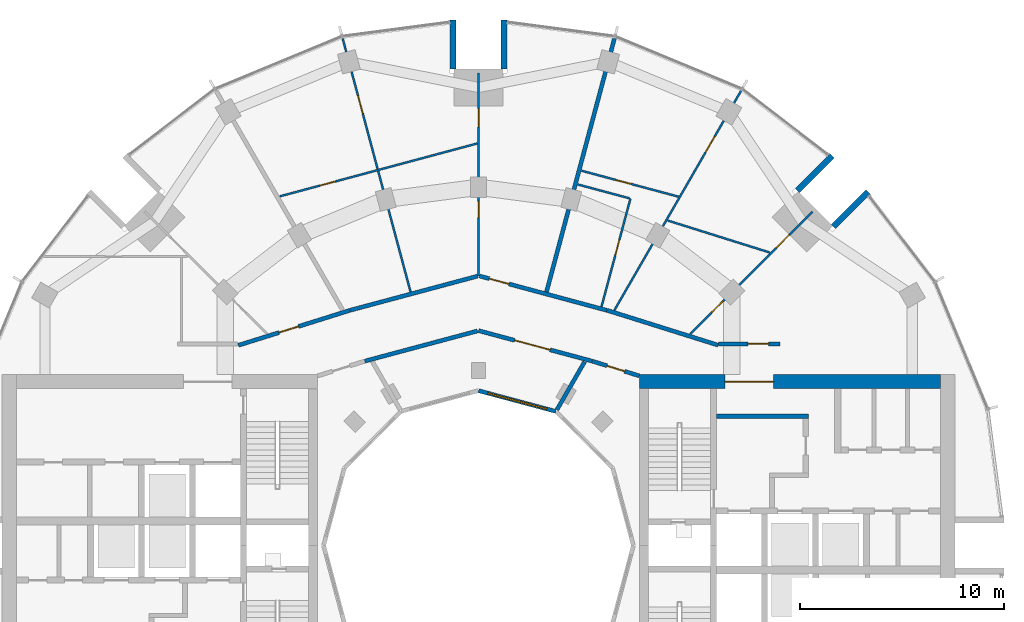
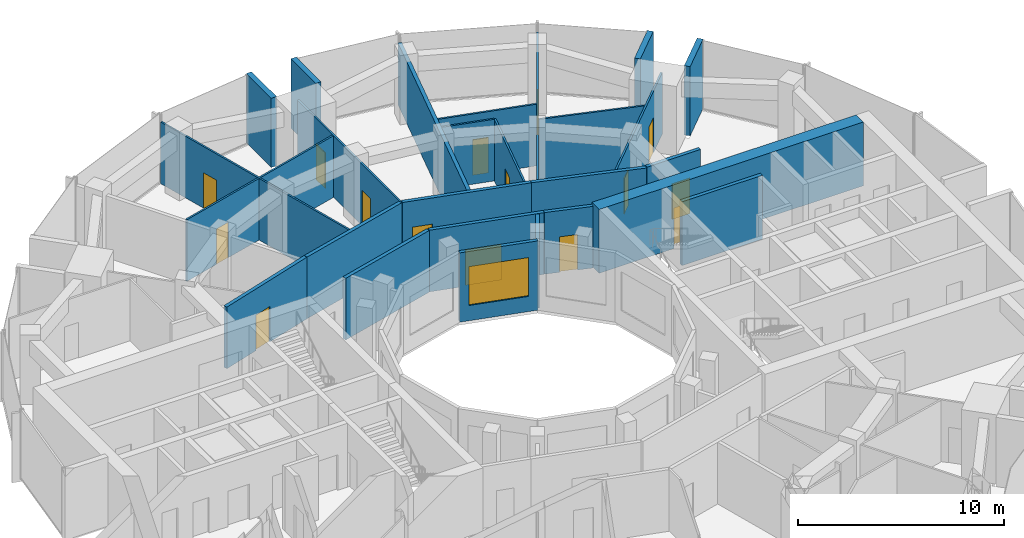
# One storey, part 12 of 15: 26 walls, 15 doors, 1 window, 16 openings.
"""IFC4 building model written with IfcOpenShell, lengths in metres."""

from ifc_helpers import new_model, si_unit, direction, frame, frame_2d, origin, place, context, subcontext, project, spatial, rectangle, extrude, material, layer, layer_set, type_object, element, fill, save


model = new_model("IFC4")

# Units and contexts
model_context = context("Model", 3, precision=1e-05, world=origin(), true_north=direction((0.0, 1.0)))
body_context = subcontext(model_context, "Body", "Model", "MODEL_VIEW")
ifc_project = project(units=[si_unit("LENGTHUNIT", "METRE"), si_unit("AREAUNIT", "SQUARE_METRE"), si_unit("VOLUMEUNIT", "CUBIC_METRE"), si_unit("PLANEANGLEUNIT", "RADIAN"), si_unit("MASSUNIT", "GRAM", prefix="KILO")], contexts=[model_context])

# Site, building, storey
site_placement = place(None, origin())
site = spatial("IfcSite", under=ifc_project, at=site_placement, CompositionType="ELEMENT")
building_placement = place(site_placement, origin())
building = spatial("IfcBuilding", under=site, at=building_placement, Name="Torre Brocal", CompositionType="ELEMENT")
storey_placement = place(building_placement, frame((0.0, 0.0, 174.10009765625)))
storey = spatial("IfcBuildingStorey", under=building, at=storey_placement, Name="L40", CompositionType="ELEMENT", Elevation=174.10009765625)

# Wall
ifc_material_1 = material(Name="Concrete C70", Category="concrete")
ifc_layer_1 = layer(ifc_material_1, 0.199951171875)
ifc_layer_set_1 = layer_set([ifc_layer_1], Name="Concrete C70")
wall_type_1 = type_object("IfcWallType", Name="CORE WALL 200 C70", PredefinedType="SHEAR", material=ifc_layer_set_1)
wall_1_placement = place(storey_placement, frame((91.699951171875, 81.35009765625, 0.0), z_axis=(0.0, 0.0, 1.0), x_axis=(1.0, 0.0, 0.0)))
element("IfcWall", 1, at=wall_1_placement, inside=storey, type_object=wall_type_1, Name="Wall CW200-70", PredefinedType="SHEAR", context=body_context, shape_type="SweptSolid", body=[
    extrude(rectangle(XDim=4.5, YDim=0.199951171875, at=frame_2d((2.25, 0.0))), origin(), (0.0, 0.0, 1.0), 3.77978515625),
])

# Wall, opening, door
ifc_material_2 = material(Name="Concrete C70", Category="concrete")
ifc_layer_2 = layer(ifc_material_2, 0.699951171875)
ifc_layer_set_2 = layer_set([ifc_layer_2], Name="Concrete C70")
wall_type_2 = type_object("IfcWallType", Name="CORE WALL 700 C70", PredefinedType="SHEAR", material=ifc_layer_set_2)
wall_2_placement = place(storey_placement, frame((87.89990234375, 83.050048828125, 0.0), z_axis=(0.0, 0.0, 1.0), x_axis=(1.0, 0.0, 0.0)))
wall_2 = element("IfcWall", 2, at=wall_2_placement, inside=storey, type_object=wall_type_2, Name="Wall CW700-70", PredefinedType="SHEAR", context=body_context, shape_type="SweptSolid", body=[
    extrude(rectangle(XDim=14.800048828125, YDim=0.699951171875, at=frame_2d((7.39990234375, 0.0))), origin(), (0.0, 0.0, 1.0), 3.77978515625),
])
opening_1_placement = place(wall_2_placement, frame((4.199951171875, 0.0, 0.0)))
opening_1 = element("IfcOpeningElement", 3, at=opening_1_placement, cuts=wall_2, Name="Opening E-D12", PredefinedType="OPENING", context=body_context, shape_type="SweptSolid", body=[
    extrude(rectangle(XDim=2.39990234375, YDim=2.39990234375, at=frame_2d((1.199951171875, 1.199951171875))), frame((0.0, 0.35986328125, 0.0), z_axis=(0.0, -1.0, 0.0), x_axis=(1.0, 0.0, 0.0)), (0.0, 0.0, 1.0), 0.719970703125),
])
ifc_material_3 = material(Name="Steel A653", Category="steel")
door_type_1 = type_object("IfcDoorType", Name="DOUBLE FIRE DOOR FD90 2400X2400", OperationType="DOUBLE_DOOR_SINGLE_SWING", PredefinedType="DOOR", material=ifc_material_3)
door_1_placement = place(opening_1_placement, frame((2.39990234375, 0.0, 0.0), z_axis=(0.0, 0.0, 1.0), x_axis=(-1.0, 0.0, 0.0)))
door_1 = element("IfcDoor", 4, at=door_1_placement, inside=storey, type_object=door_type_1, Name="Door E-D12", OperationType="DOUBLE_DOOR_SINGLE_SWING", OverallHeight=2.39990234375, OverallWidth=2.39990234375, PredefinedType="DOOR", context=body_context, shape_type="SweptSolid", body=[
    extrude(rectangle(XDim=2.39990234375, YDim=2.39990234375, at=frame_2d((1.199951171875, 1.199951171875))), frame((0.0, 0.02490234375, 0.0), z_axis=(0.0, -1.0, 0.0), x_axis=(1.0, 0.0, 0.0)), (0.0, 0.0, 1.0), 0.050048828125),
])
fill(opening_1, door_1)

# Walls
ifc_material_4 = material(Name="Concrete C70", Category="concrete")
ifc_layer_3 = layer(ifc_material_4, 0.300048828125)
ifc_layer_set_3 = layer_set([ifc_layer_3], Name="Concrete C70")
wall_type_3 = type_object("IfcWallType", Name="NOTCH RETURN WALL 300 C70", PredefinedType="NOTDEFINED", material=ifc_layer_set_3)
for number, where, z_axis, x_axis, name in (
    (5, (97.43017578125, 90.662353515625, 0.0), (0.0, 0.0, 1.0), (0.707106781187, 0.707106781187, 0.0), "NOTCH RETURN WALL"),
    (6, (95.662353515625, 92.43017578125, 0.0), (0.0, 0.0, 1.0), (0.707106781187, 0.707106781187, 0.0), "NOTCH RETURN WALL"),
    (7, (81.25, 98.39990234375, 0.0), (0.0, 0.0, 1.0), (0.0, 1.0, 0.0), "NOTCH RETURN WALL"),
    (8, (78.75, 98.39990234375, 0.0), (0.0, 0.0, 1.0), (0.0, 1.0, 0.0), "NOTCH RETURN WALL"),
):
    element("IfcWall", number, at=place(storey_placement, frame(where, z_axis=z_axis, x_axis=x_axis)), inside=storey, type_object=wall_type_3, Name=name, PredefinedType="NOTDEFINED", context=body_context, shape_type="SweptSolid", body=[
        extrude(rectangle(XDim=2.415771484375, YDim=0.300048828125, at=frame_2d((1.2080078125, 0.0))), origin(), (0.0, 0.0, 1.0), 4.099853515625),
    ])

# Wall, opening, door
ifc_material_5 = material(Name="Gypsum board", Category="Gypsum")
ifc_layer_4 = layer(ifc_material_5, 0.10009765625)
ifc_layer_set_4 = layer_set([ifc_layer_4], Name="Gypsum board")
wall_type_4 = type_object("IfcWallType", Name="PARTITION 100", PredefinedType="PARTITIONING", material=ifc_layer_set_4)
wall_3_placement = place(storey_placement, frame((70.23193359375, 92.15087890625, 0.0), z_axis=(0.0, 0.0, 1.0), x_axis=(0.965980126086, 0.258616310405, 0.0)))
wall_3 = element("IfcWall", 9, at=wall_3_placement, inside=storey, type_object=wall_type_4, Name="BATHROOM WALL", PredefinedType="PARTITIONING", context=body_context, shape_type="SweptSolid", body=[
    extrude(rectangle(XDim=10.052978515625, YDim=0.10009765625, at=frame_2d((5.0263671875, 0.0))), origin(), (0.0, 0.0, 1.0), 3.64990234375),
])
opening_2_placement = place(wall_3_placement, frame((2.0380859375, 0.0, 0.0)))
opening_2 = element("IfcOpeningElement", 10, at=opening_2_placement, cuts=wall_3, Name="Opening R02-D11", PredefinedType="OPENING", context=body_context, shape_type="SweptSolid", body=[
    extrude(rectangle(XDim=0.800048828125, YDim=2.10009765625, at=frame_2d((0.39990234375, 1.050048828125))), frame((0.0, 0.06005859375, 0.0), z_axis=(0.0, -1.0, 0.0), x_axis=(1.0, 0.0, 0.0)), (0.0, 0.0, 1.0), 0.1201171875),
])
ifc_material_6 = material(Name="Timber", Category="wood")
door_type_2 = type_object("IfcDoorType", Name="BATHROOM DOOR 800X2100", OperationType="SINGLE_SWING_LEFT", PredefinedType="DOOR", material=ifc_material_6)
door_2_placement = place(opening_2_placement, frame((0.800048828125, 0.0, 0.0), z_axis=(0.0, 0.0, 1.0), x_axis=(-1.0, 0.0, 0.0)))
door_2 = element("IfcDoor", 11, at=door_2_placement, inside=storey, type_object=door_type_2, Name="R02-D11", OperationType="SINGLE_SWING_RIGHT", OverallHeight=2.10009765625, OverallWidth=0.800048828125, PredefinedType="DOOR", context=body_context, shape_type="SweptSolid", body=[
    extrude(rectangle(XDim=0.800048828125, YDim=2.10009765625, at=frame_2d((0.39990234375, 1.050048828125))), frame((0.0, 0.02490234375, 0.0), z_axis=(0.0, -1.0, 0.0), x_axis=(1.0, 0.0, 0.0)), (0.0, 0.0, 1.0), 0.050048828125),
])
fill(opening_2, door_2)

wall_4_placement = place(storey_placement, frame((73.322998046875, 99.919189453125, 0.0), z_axis=(0.0, 0.0, 1.0), x_axis=(0.258768239436, -0.965939438194, 0.0)))
wall_4 = element("IfcWall", 12, at=wall_4_placement, inside=storey, type_object=wall_type_4, Name="BATHROOM WALL", PredefinedType="PARTITIONING", context=body_context, shape_type="SweptSolid", body=[
    extrude(rectangle(XDim=12.90380859375, YDim=0.10009765625, at=frame_2d((6.451904296875, 0.0))), origin(), (0.0, 0.0, 1.0), 3.64990234375),
])
opening_3_placement = place(wall_4_placement, frame((2.92724609375, 0.0, 0.0)))
opening_3 = element("IfcOpeningElement", 13, at=opening_3_placement, cuts=wall_4, Name="Opening R02-D10", PredefinedType="OPENING", context=body_context, shape_type="SweptSolid", body=[
    extrude(rectangle(XDim=0.89990234375, YDim=2.10009765625, at=frame_2d((0.449951171875, 1.050048828125))), frame((0.0, 0.06005859375, 0.0), z_axis=(0.0, -1.0, 0.0), x_axis=(1.0, 0.0, 0.0)), (0.0, 0.0, 1.0), 0.1201171875),
])
ifc_material_7 = material(Name="Timber", Category="wood")
door_type_3 = type_object("IfcDoorType", Name="ROOM DOOR 900X2100", OperationType="SINGLE_SWING_LEFT", PredefinedType="DOOR", material=ifc_material_7)
door_3_placement = place(opening_3_placement, origin())
door_3 = element("IfcDoor", 14, at=door_3_placement, inside=storey, type_object=door_type_3, Name="R02-D10", OperationType="SINGLE_SWING_LEFT", OverallHeight=2.10009765625, OverallWidth=0.89990234375, PredefinedType="DOOR", context=body_context, shape_type="SweptSolid", body=[
    extrude(rectangle(XDim=0.89990234375, YDim=2.10009765625, at=frame_2d((0.449951171875, 1.050048828125))), frame((0.0, 0.02490234375, 0.0), z_axis=(0.0, -1.0, 0.0), x_axis=(1.0, 0.0, 0.0)), (0.0, 0.0, 1.0), 0.050048828125),
])
fill(opening_3, door_3)

# Wall, openings, doors
wall_5_placement = place(storey_placement, frame((80.0, 88.24609375, 0.0), z_axis=(0.0, 0.0, 1.0), x_axis=(0.0, 1.0, 0.0)))
wall_5 = element("IfcWall", 15, at=wall_5_placement, inside=storey, type_object=wall_type_4, Name="BATHROOM WALL", PredefinedType="PARTITIONING", context=body_context, shape_type="SweptSolid", body=[
    extrude(rectangle(XDim=9.953857421875, YDim=0.10009765625, at=frame_2d((4.97705078125, 0.0))), origin(), (0.0, 0.0, 1.0), 3.64990234375),
])
opening_4_placement = place(wall_5_placement, frame((7.3134765625, 0.0, 0.0)))
opening_4 = element("IfcOpeningElement", 16, at=opening_4_placement, cuts=wall_5, Name="Opening R02-D08", PredefinedType="OPENING", context=body_context, shape_type="SweptSolid", body=[
    extrude(rectangle(XDim=0.89990234375, YDim=2.10009765625, at=frame_2d((0.449951171875, 1.050048828125))), frame((0.0, 0.06005859375, 0.0), z_axis=(0.0, -1.0, 0.0), x_axis=(1.0, 0.0, 0.0)), (0.0, 0.0, 1.0), 0.1201171875),
])
opening_5_placement = place(wall_5_placement, frame((2.861572265625, 0.0, 0.0)))
opening_5 = element("IfcOpeningElement", 17, at=opening_5_placement, cuts=wall_5, Name="Opening R02-D09", PredefinedType="OPENING", context=body_context, shape_type="SweptSolid", body=[
    extrude(rectangle(XDim=0.800048828125, YDim=2.10009765625, at=frame_2d((0.39990234375, 1.050048828125))), frame((0.0, 0.06005859375, 0.0), z_axis=(0.0, -1.0, 0.0), x_axis=(1.0, 0.0, 0.0)), (0.0, 0.0, 1.0), 0.1201171875),
])
door_4_placement = place(opening_5_placement, origin())
door_4 = element("IfcDoor", 18, at=door_4_placement, inside=storey, type_object=door_type_2, Name="R02-D09", OperationType="SINGLE_SWING_RIGHT", OverallHeight=2.10009765625, OverallWidth=0.800048828125, PredefinedType="DOOR", context=body_context, shape_type="SweptSolid", body=[
    extrude(rectangle(XDim=0.800048828125, YDim=2.10009765625, at=frame_2d((0.39990234375, 1.050048828125))), frame((0.0, 0.02490234375, 0.0), z_axis=(0.0, -1.0, 0.0), x_axis=(1.0, 0.0, 0.0)), (0.0, 0.0, 1.0), 0.050048828125),
])
fill(opening_5, door_4)
door_5_placement = place(opening_4_placement, origin())
door_5 = element("IfcDoor", 19, at=door_5_placement, inside=storey, type_object=door_type_3, Name="R02-D08", OperationType="SINGLE_SWING_LEFT", OverallHeight=2.10009765625, OverallWidth=0.89990234375, PredefinedType="DOOR", context=body_context, shape_type="SweptSolid", body=[
    extrude(rectangle(XDim=0.89990234375, YDim=2.10009765625, at=frame_2d((0.449951171875, 1.050048828125))), frame((0.0, 0.02490234375, 0.0), z_axis=(0.0, -1.0, 0.0), x_axis=(1.0, 0.0, 0.0)), (0.0, 0.0, 1.0), 0.050048828125),
])
fill(opening_4, door_5)

# Wall
wall_6_placement = place(storey_placement, frame((84.8671875, 92.738525390625, 0.0), z_axis=(0.0, 0.0, 1.0), x_axis=(0.96595176814, -0.25872220938, 0.0)))
element("IfcWall", 20, at=wall_6_placement, inside=storey, type_object=wall_type_4, Name="BATHROOM WALL", PredefinedType="PARTITIONING", context=body_context, shape_type="SweptSolid", body=[
    extrude(rectangle(XDim=2.638427734375, YDim=0.10009765625, at=frame_2d((1.3193359375, 0.0))), origin(), (0.0, 0.0, 1.0), 3.64990234375),
])

# Wall, opening, door
wall_7_placement = place(storey_placement, frame((85.04833984375, 93.41455078125, 0.0), z_axis=(0.0, 0.0, 1.0), x_axis=(0.965981309458, -0.258611890247, 0.0)))
wall_7 = element("IfcWall", 21, at=wall_7_placement, inside=storey, type_object=wall_type_4, Name="BATHROOM WALL", PredefinedType="PARTITIONING", context=body_context, shape_type="SweptSolid", body=[
    extrude(rectangle(XDim=4.94580078125, YDim=0.10009765625, at=frame_2d((2.472900390625, 0.0))), origin(), (0.0, 0.0, 1.0), 3.64990234375),
])
opening_6_placement = place(wall_7_placement, frame((1.748046875, 0.0, 0.0)))
opening_6 = element("IfcOpeningElement", 22, at=opening_6_placement, cuts=wall_7, Name="Opening R02-D06", PredefinedType="OPENING", context=body_context, shape_type="SweptSolid", body=[
    extrude(rectangle(XDim=0.800048828125, YDim=2.10009765625, at=frame_2d((0.39990234375, 1.050048828125))), frame((0.0, 0.06005859375, 0.0), z_axis=(0.0, -1.0, 0.0), x_axis=(1.0, 0.0, 0.0)), (0.0, 0.0, 1.0), 0.1201171875),
])
door_6_placement = place(opening_6_placement, origin())
door_6 = element("IfcDoor", 23, at=door_6_placement, inside=storey, type_object=door_type_2, Name="R02-D06", OperationType="SINGLE_SWING_LEFT", OverallHeight=2.10009765625, OverallWidth=0.800048828125, PredefinedType="DOOR", context=body_context, shape_type="SweptSolid", body=[
    extrude(rectangle(XDim=0.800048828125, YDim=2.10009765625, at=frame_2d((0.39990234375, 1.050048828125))), frame((0.0, 0.02490234375, 0.0), z_axis=(0.0, -1.0, 0.0), x_axis=(1.0, 0.0, 0.0)), (0.0, 0.0, 1.0), 0.050048828125),
])
fill(opening_6, door_6)

wall_8_placement = place(storey_placement, frame((86.0419921875, 86.730712890625, 0.0), z_axis=(0.0, 0.0, 1.0), x_axis=(0.258599239637, 0.965984696183, 0.0)))
wall_8 = element("IfcWall", 24, at=wall_8_placement, inside=storey, type_object=wall_type_4, Name="BATHROOM WALL", PredefinedType="PARTITIONING", context=body_context, shape_type="SweptSolid", body=[
    extrude(rectangle(XDim=5.499267578125, YDim=0.10009765625, at=frame_2d((2.74951171875, 0.0))), origin(), (0.0, 0.0, 1.0), 3.64990234375),
])
opening_7_placement = place(wall_8_placement, frame((2.599609375, 0.0, 0.0)))
opening_7 = element("IfcOpeningElement", 25, at=opening_7_placement, cuts=wall_8, Name="Opening R02-D05", PredefinedType="OPENING", context=body_context, shape_type="SweptSolid", body=[
    extrude(rectangle(XDim=0.800048828125, YDim=2.10009765625, at=frame_2d((0.39990234375, 1.050048828125))), frame((0.0, 0.06005859375, 0.0), z_axis=(0.0, -1.0, 0.0), x_axis=(1.0, 0.0, 0.0)), (0.0, 0.0, 1.0), 0.1201171875),
])
door_7_placement = place(opening_7_placement, origin())
door_7 = element("IfcDoor", 26, at=door_7_placement, inside=storey, type_object=door_type_2, Name="R02-D05", OperationType="SINGLE_SWING_RIGHT", OverallHeight=2.10009765625, OverallWidth=0.800048828125, PredefinedType="DOOR", context=body_context, shape_type="SweptSolid", body=[
    extrude(rectangle(XDim=0.800048828125, YDim=2.10009765625, at=frame_2d((0.39990234375, 1.050048828125))), frame((0.0, 0.02490234375, 0.0), z_axis=(0.0, -1.0, 0.0), x_axis=(1.0, 0.0, 0.0)), (0.0, 0.0, 1.0), 0.050048828125),
])
fill(opening_7, door_7)

wall_9_placement = place(storey_placement, frame((86.671875, 86.5537109375, 0.0), z_axis=(0.0, 0.0, 1.0), x_axis=(0.500043115992, 0.866000509324, 0.0)))
wall_9 = element("IfcWall", 27, at=wall_9_placement, inside=storey, type_object=wall_type_4, Name="BATHROOM WALL", PredefinedType="PARTITIONING", context=body_context, shape_type="SweptSolid", body=[
    extrude(rectangle(XDim=12.4560546875, YDim=0.10009765625, at=frame_2d((6.22802734375, 0.0))), origin(), (0.0, 0.0, 1.0), 3.64990234375),
])
opening_8_placement = place(wall_9_placement, frame((8.955810546875, 0.0, 0.0)))
opening_8 = element("IfcOpeningElement", 28, at=opening_8_placement, cuts=wall_9, Name="Opening R02-D04", PredefinedType="OPENING", context=body_context, shape_type="SweptSolid", body=[
    extrude(rectangle(XDim=0.89990234375, YDim=2.10009765625, at=frame_2d((0.449951171875, 1.050048828125))), frame((0.0, 0.06005859375, 0.0), z_axis=(0.0, -1.0, 0.0), x_axis=(1.0, 0.0, 0.0)), (0.0, 0.0, 1.0), 0.1201171875),
])
door_8_placement = place(opening_8_placement, frame((0.89990234375, 0.0, 0.0), z_axis=(0.0, 0.0, 1.0), x_axis=(-1.0, 0.0, 0.0)))
door_8 = element("IfcDoor", 29, at=door_8_placement, inside=storey, type_object=door_type_3, Name="R02-D04", OperationType="SINGLE_SWING_LEFT", OverallHeight=2.10009765625, OverallWidth=0.89990234375, PredefinedType="DOOR", context=body_context, shape_type="SweptSolid", body=[
    extrude(rectangle(XDim=0.89990234375, YDim=2.10009765625, at=frame_2d((0.449951171875, 1.050048828125))), frame((0.0, 0.02490234375, 0.0), z_axis=(0.0, -1.0, 0.0), x_axis=(1.0, 0.0, 0.0)), (0.0, 0.0, 1.0), 0.050048828125),
])
fill(opening_8, door_8)

# Wall
wall_10_placement = place(storey_placement, frame((89.286376953125, 90.967041015625, 0.0), z_axis=(0.0, 0.0, 1.0), x_axis=(0.954193783918, -0.299189275763, 0.0)))
element("IfcWall", 30, at=wall_10_placement, inside=storey, type_object=wall_type_4, Name="BATHROOM WALL", PredefinedType="PARTITIONING", context=body_context, shape_type="SweptSolid", body=[
    extrude(rectangle(XDim=5.260009765625, YDim=0.10009765625, at=frame_2d((2.6298828125, 0.0))), origin(), (0.0, 0.0, 1.0), 3.64990234375),
])

# Wall, openings, doors
wall_11_placement = place(storey_placement, frame((90.396484375, 85.393310546875, 0.0), z_axis=(0.0, 0.0, 1.0), x_axis=(0.707279106146, 0.706934414221, 0.0)))
wall_11 = element("IfcWall", 31, at=wall_11_placement, inside=storey, type_object=wall_type_4, Name="BATHROOM WALL", PredefinedType="PARTITIONING", context=body_context, shape_type="SweptSolid", body=[
    extrude(rectangle(XDim=8.49951171875, YDim=0.10009765625, at=frame_2d((4.249755859375, 0.0))), origin(), (0.0, 0.0, 1.0), 3.64990234375),
])
opening_9_placement = place(wall_11_placement, frame((5.9755859375, 0.0, 0.0)))
opening_9 = element("IfcOpeningElement", 32, at=opening_9_placement, cuts=wall_11, Name="Opening R02-D02", PredefinedType="OPENING", context=body_context, shape_type="SweptSolid", body=[
    extrude(rectangle(XDim=0.89990234375, YDim=2.10009765625, at=frame_2d((0.449951171875, 1.050048828125))), frame((0.0, 0.06005859375, 0.0), z_axis=(0.0, -1.0, 0.0), x_axis=(1.0, 0.0, 0.0)), (0.0, 0.0, 1.0), 0.1201171875),
])
opening_10_placement = place(wall_11_placement, frame((1.467041015625, 0.0, 0.0)))
opening_10 = element("IfcOpeningElement", 33, at=opening_10_placement, cuts=wall_11, Name="Opening R02-D03", PredefinedType="OPENING", context=body_context, shape_type="SweptSolid", body=[
    extrude(rectangle(XDim=0.800048828125, YDim=2.10009765625, at=frame_2d((0.39990234375, 1.050048828125))), frame((0.0, 0.06005859375, 0.0), z_axis=(0.0, -1.0, 0.0), x_axis=(1.0, 0.0, 0.0)), (0.0, 0.0, 1.0), 0.1201171875),
])
door_9_placement = place(opening_10_placement, origin())
door_9 = element("IfcDoor", 34, at=door_9_placement, inside=storey, type_object=door_type_2, Name="R02-D03", OperationType="SINGLE_SWING_LEFT", OverallHeight=2.10009765625, OverallWidth=0.800048828125, PredefinedType="DOOR", context=body_context, shape_type="SweptSolid", body=[
    extrude(rectangle(XDim=0.800048828125, YDim=2.10009765625, at=frame_2d((0.39990234375, 1.050048828125))), frame((0.0, 0.02490234375, 0.0), z_axis=(0.0, -1.0, 0.0), x_axis=(1.0, 0.0, 0.0)), (0.0, 0.0, 1.0), 0.050048828125),
])
fill(opening_10, door_9)
door_10_placement = place(opening_9_placement, frame((0.89990234375, 0.0, 0.0), z_axis=(0.0, 0.0, 1.0), x_axis=(-1.0, 0.0, 0.0)))
door_10 = element("IfcDoor", 35, at=door_10_placement, inside=storey, type_object=door_type_3, Name="R02-D02", OperationType="SINGLE_SWING_LEFT", OverallHeight=2.10009765625, OverallWidth=0.89990234375, PredefinedType="DOOR", context=body_context, shape_type="SweptSolid", body=[
    extrude(rectangle(XDim=0.89990234375, YDim=2.10009765625, at=frame_2d((0.449951171875, 1.050048828125))), frame((0.0, 0.02490234375, 0.0), z_axis=(0.0, -1.0, 0.0), x_axis=(1.0, 0.0, 0.0)), (0.0, 0.0, 1.0), 0.050048828125),
])
fill(opening_9, door_10)

# Wall, opening, door
ifc_material_8 = material(Name="Gypsum board", Category="Gypsum")
ifc_layer_5 = layer(ifc_material_8, 0.199951171875)
ifc_layer_set_5 = layer_set([ifc_layer_5], Name="Gypsum board")
wall_type_5 = type_object("IfcWallType", Name="PARTITION 200 EI60", PredefinedType="PARTITIONING", material=ifc_layer_set_5)
wall_12_placement = place(storey_placement, frame((68.199951171875, 84.833251953125, 0.0), z_axis=(0.0, 0.0, 1.0), x_axis=(0.954191968402, 0.299195065863, 0.0)))
wall_12 = element("IfcWall", 36, at=wall_12_placement, inside=storey, type_object=wall_type_5, Name="FLAT ENTRANCE WALL", PredefinedType="PARTITIONING", context=body_context, shape_type="SweptSolid", body=[
    extrude(rectangle(XDim=5.740478515625, YDim=0.199951171875, at=frame_2d((2.8701171875, 0.0))), origin(), (0.0, 0.0, 1.0), 3.64990234375),
])
opening_11_placement = place(wall_12_placement, frame((2.096923828125, 0.0, 0.0)))
opening_11 = element("IfcOpeningElement", 37, at=opening_11_placement, cuts=wall_12, Name="Opening R02-D12", PredefinedType="OPENING", context=body_context, shape_type="SweptSolid", body=[
    extrude(rectangle(XDim=1.0, YDim=2.10009765625, at=frame_2d((0.5, 1.050048828125))), frame((0.0, 0.10986328125, 0.0), z_axis=(0.0, -1.0, 0.0), x_axis=(1.0, 0.0, 0.0)), (0.0, 0.0, 1.0), 0.219970703125),
])
ifc_material_9 = material(Name="Timber", Category="wood")
door_type_4 = type_object("IfcDoorType", Name="FLAT ENTRY DOOR FD30S 1000X2100", OperationType="SINGLE_SWING_RIGHT", PredefinedType="DOOR", material=ifc_material_9)
door_11_placement = place(opening_11_placement, origin())
door_11 = element("IfcDoor", 38, at=door_11_placement, inside=storey, type_object=door_type_4, Name="R02-D12", OperationType="SINGLE_SWING_LEFT", OverallHeight=2.10009765625, OverallWidth=1.0, PredefinedType="DOOR", context=body_context, shape_type="SweptSolid", body=[
    extrude(rectangle(XDim=1.0, YDim=2.10009765625, at=frame_2d((0.5, 1.050048828125))), frame((0.0, 0.02490234375, 0.0), z_axis=(0.0, -1.0, 0.0), x_axis=(1.0, 0.0, 0.0)), (0.0, 0.0, 1.0), 0.050048828125),
])
fill(opening_11, door_11)

# Walls
wall_13_placement = place(storey_placement, frame((73.68701171875, 86.55419921875, 0.0), z_axis=(0.0, 0.0, 1.0), x_axis=(0.96595928904, 0.258694128106, 0.0)))
element("IfcWall", 39, at=wall_13_placement, inside=storey, type_object=wall_type_5, Name="GUESTROOM CORRIDOR WALL", PredefinedType="PARTITIONING", context=body_context, shape_type="SweptSolid", body=[
    extrude(rectangle(XDim=6.495849609375, YDim=0.199951171875, at=frame_2d((3.248046875, 0.0))), origin(), (0.0, 0.0, 1.0), 3.64990234375),
])
wall_14_placement = place(storey_placement, frame((74.412841796875, 84.05712890625, 0.0), z_axis=(0.0, 0.0, 1.0), x_axis=(0.965970849692, 0.258650956976, 0.0)))
element("IfcWall", 40, at=wall_14_placement, inside=storey, type_object=wall_type_5, Name="CORRIDOR WALL", PredefinedType="PARTITIONING", context=body_context, shape_type="SweptSolid", body=[
    extrude(rectangle(XDim=5.734130859375, YDim=0.199951171875, at=frame_2d((2.8671875, 0.0))), origin(), (0.0, 0.0, 1.0), 3.64990234375),
])

# Wall, opening, door
wall_15_placement = place(storey_placement, frame((80.0, 85.55419921875, 0.0), z_axis=(0.0, 0.0, 1.0), x_axis=(0.965894438951, -0.258936155845, 0.0)))
wall_15 = element("IfcWall", 41, at=wall_15_placement, inside=storey, type_object=wall_type_5, Name="CORRIDOR WALL", PredefinedType="PARTITIONING", context=body_context, shape_type="SweptSolid", body=[
    extrude(rectangle(XDim=5.774169921875, YDim=0.199951171875, at=frame_2d((2.88720703125, 0.0))), origin(), (0.0, 0.0, 1.0), 3.64990234375),
])
opening_12_placement = place(wall_15_placement, frame((1.84130859375, 0.0, 0.0)))
opening_12 = element("IfcOpeningElement", 42, at=opening_12_placement, cuts=wall_15, Name="Opening R02-D17", PredefinedType="OPENING", context=body_context, shape_type="SweptSolid", body=[
    extrude(rectangle(XDim=1.800048828125, YDim=2.10009765625, at=frame_2d((0.89990234375, 1.050048828125))), frame((0.0, 0.10986328125, 0.0), z_axis=(0.0, -1.0, 0.0), x_axis=(1.0, 0.0, 0.0)), (0.0, 0.0, 1.0), 0.219970703125),
])
ifc_material_10 = material(Name="Timber", Category="wood")
door_type_5 = type_object("IfcDoorType", Name="DOUBLE DOOR 1800X2100", OperationType="DOUBLE_DOOR_SINGLE_SWING", PredefinedType="DOOR", material=ifc_material_10)
door_12_placement = place(opening_12_placement, frame((1.800048828125, 0.0, 0.0), z_axis=(0.0, 0.0, 1.0), x_axis=(-1.0, 0.0, 0.0)))
door_12 = element("IfcDoor", 43, at=door_12_placement, inside=storey, type_object=door_type_5, Name="R02-D17", OperationType="DOUBLE_DOOR_SINGLE_SWING", OverallHeight=2.10009765625, OverallWidth=1.800048828125, PredefinedType="DOOR", context=body_context, shape_type="SweptSolid", body=[
    extrude(rectangle(XDim=1.800048828125, YDim=2.10009765625, at=frame_2d((0.89990234375, 1.050048828125))), frame((0.0, 0.02490234375, 0.0), z_axis=(0.0, -1.0, 0.0), x_axis=(1.0, 0.0, 0.0)), (0.0, 0.0, 1.0), 0.050048828125),
])
fill(opening_12, door_12)

wall_16_placement = place(storey_placement, frame((80.04931640625, 88.237060546875, 0.0), z_axis=(0.0, 0.0, 1.0), x_axis=(0.965582990495, -0.260095152718, 0.0)))
wall_16 = element("IfcWall", 44, at=wall_16_placement, inside=storey, type_object=wall_type_5, Name="FLAT ENTRANCE WALL", PredefinedType="PARTITIONING", context=body_context, shape_type="SweptSolid", body=[
    extrude(rectangle(XDim=6.475830078125, YDim=0.199951171875, at=frame_2d((3.23779296875, 0.0))), origin(), (0.0, 0.0, 1.0), 3.64990234375),
])
opening_13_placement = place(wall_16_placement, frame((0.5, 0.0, 0.0)))
opening_13 = element("IfcOpeningElement", 45, at=opening_13_placement, cuts=wall_16, Name="Opening R02-D07", PredefinedType="OPENING", context=body_context, shape_type="SweptSolid", body=[
    extrude(rectangle(XDim=1.0, YDim=2.10009765625, at=frame_2d((0.5, 1.050048828125))), frame((0.0, 0.10986328125, 0.0), z_axis=(0.0, -1.0, 0.0), x_axis=(1.0, 0.0, 0.0)), (0.0, 0.0, 1.0), 0.219970703125),
])
door_13_placement = place(opening_13_placement, origin())
door_13 = element("IfcDoor", 46, at=door_13_placement, inside=storey, type_object=door_type_4, Name="R02-D07", OperationType="SINGLE_SWING_LEFT", OverallHeight=2.10009765625, OverallWidth=1.0, PredefinedType="DOOR", context=body_context, shape_type="SweptSolid", body=[
    extrude(rectangle(XDim=1.0, YDim=2.10009765625, at=frame_2d((0.5, 1.050048828125))), frame((0.0, 0.02490234375, 0.0), z_axis=(0.0, -1.0, 0.0), x_axis=(1.0, 0.0, 0.0)), (0.0, 0.0, 1.0), 0.050048828125),
])
fill(opening_13, door_13)

# Walls
wall_17_placement = place(storey_placement, frame((83.33935546875, 87.45458984375, 0.0), z_axis=(0.0, 0.0, 1.0), x_axis=(0.258941302036, 0.96589305935, 0.0)))
element("IfcWall", 47, at=wall_17_placement, inside=storey, type_object=wall_type_5, Name="BATHROOM WALL", PredefinedType="PARTITIONING", context=body_context, shape_type="SweptSolid", body=[
    extrude(rectangle(XDim=12.90380859375, YDim=0.199951171875, at=frame_2d((6.451904296875, 0.0))), origin(), (0.0, 0.0, 1.0), 3.64990234375),
])
wall_18_placement = place(storey_placement, frame((83.850830078125, 81.667236328125, 0.0), z_axis=(0.0, 0.0, 1.0), x_axis=(0.500099931433, 0.865967700657, 0.0)))
element("IfcWall", 48, at=wall_18_placement, inside=storey, type_object=wall_type_5, Name="PARTY PARTITION", PredefinedType="PARTITIONING", context=body_context, shape_type="SweptSolid", body=[
    extrude(rectangle(XDim=2.724609375, YDim=0.199951171875, at=frame_2d((1.3623046875, 0.0))), origin(), (0.0, 0.0, 1.0), 3.64990234375),
])

# Wall, opening, door
wall_19_placement = place(storey_placement, frame((85.5869140625, 84.056884765625, 0.0), z_axis=(0.0, 0.0, 1.0), x_axis=(0.954239513179, -0.299043393987, 0.0)))
wall_19 = element("IfcWall", 49, at=wall_19_placement, inside=storey, type_object=wall_type_5, Name="CORRIDOR WALL", PredefinedType="PARTITIONING", context=body_context, shape_type="SweptSolid", body=[
    extrude(rectangle(XDim=2.423828125, YDim=0.199951171875, at=frame_2d((1.2119140625, 0.0))), origin(), (0.0, 0.0, 1.0), 3.64990234375),
])
opening_14_placement = place(wall_19_placement, frame((0.761962890625, 0.0, 0.0)))
opening_14 = element("IfcOpeningElement", 50, at=opening_14_placement, cuts=wall_19, Name="Opening R02-D16", PredefinedType="OPENING", context=body_context, shape_type="SweptSolid", body=[
    extrude(rectangle(XDim=0.89990234375, YDim=2.10009765625, at=frame_2d((0.449951171875, 1.050048828125))), frame((0.0, 0.10986328125, 0.0), z_axis=(0.0, -1.0, 0.0), x_axis=(1.0, 0.0, 0.0)), (0.0, 0.0, 1.0), 0.219970703125),
])
door_14_placement = place(opening_14_placement, frame((0.89990234375, 0.0, 0.0), z_axis=(0.0, 0.0, 1.0), x_axis=(-1.0, 0.0, 0.0)))
door_14 = element("IfcDoor", 51, at=door_14_placement, inside=storey, type_object=door_type_3, Name="R02-D16", OperationType="SINGLE_SWING_LEFT", OverallHeight=2.10009765625, OverallWidth=0.89990234375, PredefinedType="DOOR", context=body_context, shape_type="SweptSolid", body=[
    extrude(rectangle(XDim=0.89990234375, YDim=2.10009765625, at=frame_2d((0.449951171875, 1.050048828125))), frame((0.0, 0.02490234375, 0.0), z_axis=(0.0, -1.0, 0.0), x_axis=(1.0, 0.0, 0.0)), (0.0, 0.0, 1.0), 0.050048828125),
])
fill(opening_14, door_14)

# Wall
wall_20_placement = place(storey_placement, frame((86.31298828125, 86.554443359375, 0.0), z_axis=(0.0, 0.0, 1.0), x_axis=(0.954081217458, -0.299548043717, 0.0)))
element("IfcWall", 52, at=wall_20_placement, inside=storey, type_object=wall_type_5, Name="FLAT ENTRANCE WALL", PredefinedType="PARTITIONING", context=body_context, shape_type="SweptSolid", body=[
    extrude(rectangle(XDim=5.720703125, YDim=0.199951171875, at=frame_2d((2.8603515625, 0.0))), origin(), (0.0, 0.0, 1.0), 3.64990234375),
])

# Wall, opening, door
wall_21_placement = place(storey_placement, frame((91.800048828125, 84.89990234375, 0.0), z_axis=(0.0, 0.0, 1.0), x_axis=(1.0, 0.0, 0.0)))
wall_21 = element("IfcWall", 53, at=wall_21_placement, inside=storey, type_object=wall_type_5, Name="FLAT ENTRANCE WALL", PredefinedType="PARTITIONING", context=body_context, shape_type="SweptSolid", body=[
    extrude(rectangle(XDim=3.0, YDim=0.199951171875, at=frame_2d((1.5, 0.0))), origin(), (0.0, 0.0, 1.0), 3.64990234375),
])
opening_15_placement = place(wall_21_placement, frame((1.449951171875, 0.0, 0.0)))
opening_15 = element("IfcOpeningElement", 54, at=opening_15_placement, cuts=wall_21, Name="Opening R02-D01", PredefinedType="OPENING", context=body_context, shape_type="SweptSolid", body=[
    extrude(rectangle(XDim=1.0, YDim=2.10009765625, at=frame_2d((0.5, 1.050048828125))), frame((0.0, 0.10986328125, 0.0), z_axis=(0.0, -1.0, 0.0), x_axis=(1.0, 0.0, 0.0)), (0.0, 0.0, 1.0), 0.219970703125),
])
door_15_placement = place(opening_15_placement, origin())
door_15 = element("IfcDoor", 55, at=door_15_placement, inside=storey, type_object=door_type_4, Name="R02-D01", OperationType="SINGLE_SWING_LEFT", OverallHeight=2.10009765625, OverallWidth=1.0, PredefinedType="DOOR", context=body_context, shape_type="SweptSolid", body=[
    extrude(rectangle(XDim=1.0, YDim=2.10009765625, at=frame_2d((0.5, 1.050048828125))), frame((0.0, 0.02490234375, 0.0), z_axis=(0.0, -1.0, 0.0), x_axis=(1.0, 0.0, 0.0)), (0.0, 0.0, 1.0), 0.050048828125),
])
fill(opening_15, door_15)

# Wall, opening, window
ifc_material_11 = material(Name="Concrete C40", Category="concrete")
ifc_layer_6 = layer(ifc_material_11, 0.199951171875)
ifc_layer_set_6 = layer_set([ifc_layer_6], Name="Concrete C40")
wall_type_6 = type_object("IfcWallType", Name="WELL FACADE WALL 200", PredefinedType="NOTDEFINED", material=ifc_layer_set_6)
wall_22_placement = place(storey_placement, frame((83.8017578125, 81.5849609375, 0.0), z_axis=(0.0, 0.0, 1.0), x_axis=(-0.965933654434, 0.258789828301, 0.0)))
wall_22 = element("IfcWall", 56, at=wall_22_placement, inside=storey, type_object=wall_type_6, Name="WELL FACADE WALL", PredefinedType="NOTDEFINED", context=body_context, shape_type="SweptSolid", body=[
    extrude(rectangle(XDim=3.935791015625, YDim=0.199951171875, at=frame_2d((1.9677734375, 0.0))), origin(), (0.0, 0.0, 1.0), 4.099853515625),
])
opening_16_placement = place(wall_22_placement, frame((0.468017578125, 0.0, 0.89990234375)))
opening_16 = element("IfcOpeningElement", 57, at=opening_16_placement, cuts=wall_22, Name="Opening W1", PredefinedType="OPENING", context=body_context, shape_type="SweptSolid", body=[
    extrude(rectangle(XDim=3.0, YDim=2.300048828125, at=frame_2d((1.5, 1.14990234375))), frame((0.0, 0.10986328125, 0.0), z_axis=(0.0, -1.0, 0.0), x_axis=(1.0, 0.0, 0.0)), (0.0, 0.0, 1.0), 0.219970703125),
])
ifc_material_12 = material(Name="Aluminium and glass", Category="aluminium")
window_type = type_object("IfcWindowType", Name="WELL WINDOW 3000X2300", PartitioningType="SINGLE_PANEL", PredefinedType="WINDOW", material=ifc_material_12)
window_placement = place(opening_16_placement, origin())
window = element("IfcWindow", 58, at=window_placement, inside=storey, type_object=window_type, Name="WELL WINDOW 3000X2300", OverallHeight=2.300048828125, OverallWidth=3.0, PartitioningType="SINGLE_PANEL", PredefinedType="WINDOW", context=body_context, shape_type="SweptSolid", body=[
    extrude(rectangle(XDim=3.0, YDim=2.300048828125, at=frame_2d((1.5, 1.14990234375))), frame((0.0, 0.030029296875, 0.0), z_axis=(0.0, -1.0, 0.0), x_axis=(1.0, 0.0, 0.0)), (0.0, 0.0, 1.0), 0.06005859375),
])
fill(opening_16, window)

save(model, "model.ifc")
